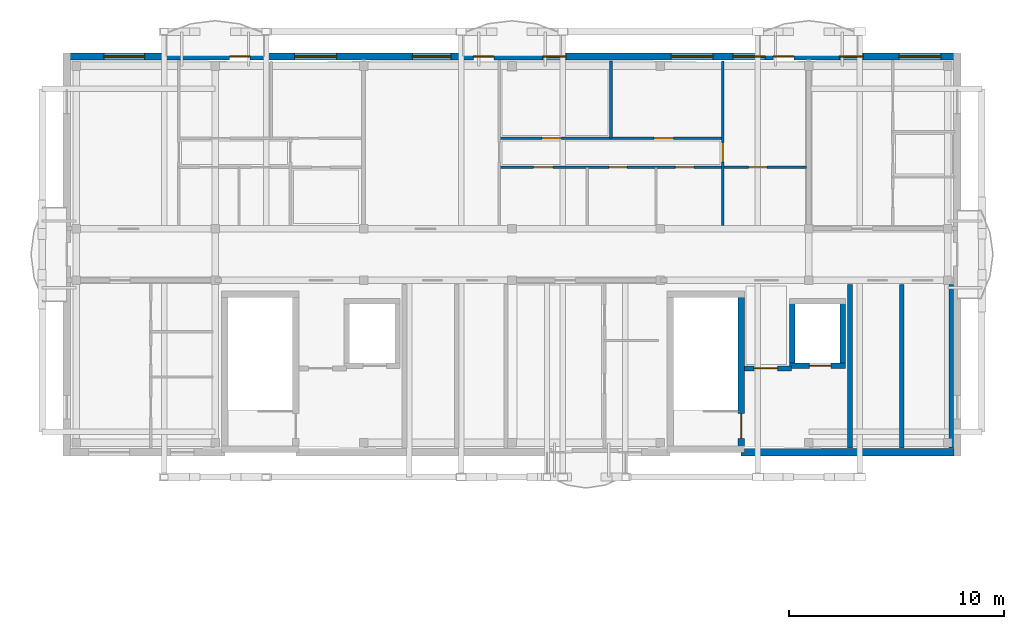
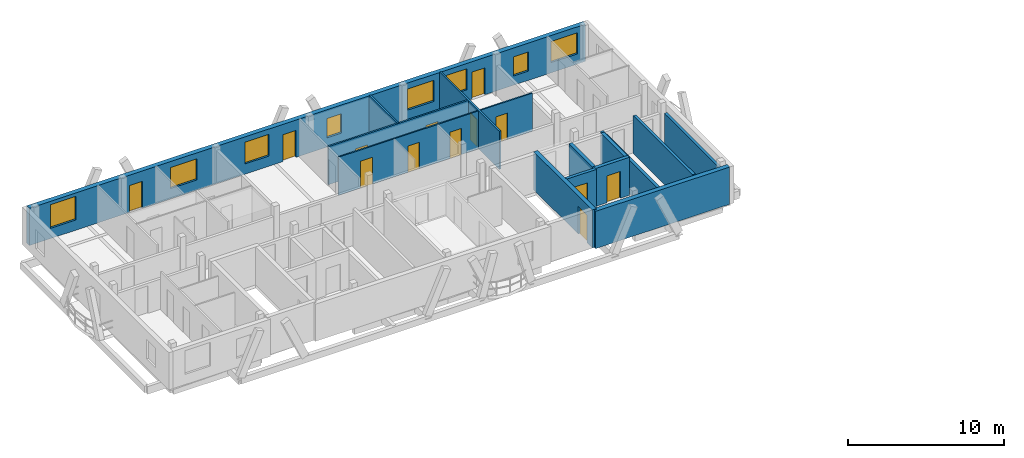
# One storey, part 12 of 18: 14 walls, 13 doors, 8 windows, 21 openings.
"""IFC4 building model written with IfcOpenShell, lengths in metres."""

from ifc_helpers import new_model, si_unit, direction, frame, frame_2d, origin, origin_with_axes, place, context, subcontext, project, spatial, rectangle, extrude, material, layer, layer_set, type_object, element, fill, save


model = new_model("IFC4")

# Units and contexts
model_context = context("Model", 3, precision=1e-05, world=origin(), true_north=direction((0.0, 1.0)))
body_context = subcontext(model_context, "Body", "Model", "MODEL_VIEW")
ifc_project = project(units=[si_unit("LENGTHUNIT", "METRE"), si_unit("AREAUNIT", "SQUARE_METRE"), si_unit("VOLUMEUNIT", "CUBIC_METRE"), si_unit("PLANEANGLEUNIT", "RADIAN"), si_unit("MASSUNIT", "GRAM", prefix="KILO")], contexts=[model_context])

# Site, building, storey
site_placement = place(None, origin())
site = spatial("IfcSite", under=ifc_project, at=site_placement, CompositionType="ELEMENT")
building_placement = place(site_placement, origin())
building = spatial("IfcBuilding", under=site, at=building_placement, Name="Zavelmont Quarter", CompositionType="ELEMENT")
storey_placement = place(building_placement, frame((0.0, 0.0, 40.0)))
storey = spatial("IfcBuildingStorey", under=building, at=storey_placement, Name="L12", CompositionType="ELEMENT", Elevation=40.0)

# Wall
ifc_material_1 = material(Name="Natural Belgian limestone", Category="masonry")
ifc_layer_1 = layer(ifc_material_1, 0.340087890625)
ifc_layer_set_1 = layer_set([ifc_layer_1], Name="Natural Belgian limestone")
wall_type_1 = type_object("IfcWallType", Name="EW03", PredefinedType="STANDARD", material=ifc_layer_set_1)
wall_1_placement = place(storey_placement, frame((31.35009765625, 97.60009765625, 0.0), z_axis=(0.0, 0.0, 1.0), x_axis=(1.0, 0.0, 0.0)))
element("IfcWall", 1, at=wall_1_placement, inside=storey, type_object=wall_type_1, Name="L12 exterior limestone wall EW03", PredefinedType="STANDARD", context=body_context, shape_type="SweptSolid", body=[
    extrude(rectangle(XDim=9.889892578125, YDim=0.340087890625, at=frame_2d((4.94482421875, 0.0))), origin(), (0.0, 0.0, 1.0), 2.909912109375),
])

# Wall, openings, doors, windows
wall_2_placement = place(storey_placement, frame((0.159912109375, 116.0, 0.0), z_axis=(0.0, 0.0, 1.0), x_axis=(1.0, 0.0, 0.0)))
wall_2 = element("IfcWall", 2, at=wall_2_placement, inside=storey, type_object=wall_type_1, Name="L12 exterior limestone wall EW03", PredefinedType="STANDARD", context=body_context, shape_type="SweptSolid", body=[
    extrude(rectangle(XDim=41.080078125, YDim=0.340087890625, at=frame_2d((20.5400390625, 0.0))), origin(), (0.0, 0.0, 1.0), 2.909912109375),
])
opening_1_placement = place(wall_2_placement, frame((7.409912109375, 0.0, 0.0)))
opening_1 = element("IfcOpeningElement", 3, at=opening_1_placement, cuts=wall_2, Name="Opening DR04", PredefinedType="OPENING", context=body_context, shape_type="SweptSolid", body=[
    extrude(rectangle(XDim=0.949951171875, YDim=2.10009765625, at=frame_2d((0.47509765625, 1.050048828125))), frame((0.0, 0.18212890625, 0.0), z_axis=(0.0, -1.0, 0.0), x_axis=(1.0, 0.0, 0.0)), (0.0, 0.0, 1.0), 0.364013671875),
])
opening_2_placement = place(wall_2_placement, frame((18.74365234375, 0.0, 0.0)))
opening_2 = element("IfcOpeningElement", 4, at=opening_2_placement, cuts=wall_2, Name="Opening DR04", PredefinedType="OPENING", context=body_context, shape_type="SweptSolid", body=[
    extrude(rectangle(XDim=0.949951171875, YDim=2.10009765625, at=frame_2d((0.47509765625, 1.050048828125))), frame((0.0, 0.18212890625, 0.0), z_axis=(0.0, -1.0, 0.0), x_axis=(1.0, 0.0, 0.0)), (0.0, 0.0, 1.0), 0.364013671875),
])
opening_3_placement = place(wall_2_placement, frame((32.693603515625, 0.0, 0.0)))
opening_3 = element("IfcOpeningElement", 5, at=opening_3_placement, cuts=wall_2, Name="Opening DR04", PredefinedType="OPENING", context=body_context, shape_type="SweptSolid", body=[
    extrude(rectangle(XDim=0.949951171875, YDim=2.10009765625, at=frame_2d((0.47509765625, 1.050048828125))), frame((0.0, 0.18212890625, 0.0), z_axis=(0.0, -1.0, 0.0), x_axis=(1.0, 0.0, 0.0)), (0.0, 0.0, 1.0), 0.364013671875),
])
opening_4_placement = place(wall_2_placement, frame((1.56005859375, 0.0, 0.800048828125)))
opening_4 = element("IfcOpeningElement", 6, at=opening_4_placement, cuts=wall_2, Name="Opening WN20", PredefinedType="OPENING", context=body_context, shape_type="SweptSolid", body=[
    extrude(rectangle(XDim=1.89990234375, YDim=1.85009765625, at=frame_2d((0.949951171875, 0.925048828125))), frame((0.0, 0.18212890625, 0.0), z_axis=(0.0, -1.0, 0.0), x_axis=(1.0, 0.0, 0.0)), (0.0, 0.0, 1.0), 0.364013671875),
])
opening_5_placement = place(wall_2_placement, frame((10.43505859375, 0.0, 0.800048828125)))
opening_5 = element("IfcOpeningElement", 7, at=opening_5_placement, cuts=wall_2, Name="Opening WN24", PredefinedType="OPENING", context=body_context, shape_type="SweptSolid", body=[
    extrude(rectangle(XDim=1.949951171875, YDim=1.64990234375, at=frame_2d((0.97509765625, 0.824951171875))), frame((0.0, 0.18212890625, 0.0), z_axis=(0.0, -1.0, 0.0), x_axis=(1.0, 0.0, 0.0)), (0.0, 0.0, 1.0), 0.364013671875),
])
opening_6_placement = place(wall_2_placement, frame((15.909912109375, 0.0, 0.800048828125)))
opening_6 = element("IfcOpeningElement", 8, at=opening_6_placement, cuts=wall_2, Name="Opening WN02", PredefinedType="OPENING", context=body_context, shape_type="SweptSolid", body=[
    extrude(rectangle(XDim=1.800048828125, YDim=1.699951171875, at=frame_2d((0.89990234375, 0.85009765625))), frame((0.0, 0.18212890625, 0.0), z_axis=(0.0, -1.0, 0.0), x_axis=(1.0, 0.0, 0.0)), (0.0, 0.0, 1.0), 0.364013671875),
])
opening_7_placement = place(wall_2_placement, frame((21.9599609375, 0.0, 0.719970703125)))
opening_7 = element("IfcOpeningElement", 9, at=opening_7_placement, cuts=wall_2, Name="Opening WN09", PredefinedType="OPENING", context=body_context, shape_type="SweptSolid", body=[
    extrude(rectangle(XDim=1.10009765625, YDim=1.5, at=frame_2d((0.550048828125, 0.75))), frame((0.0, 0.18212890625, 0.0), z_axis=(0.0, -1.0, 0.0), x_axis=(1.0, 0.0, 0.0)), (0.0, 0.0, 1.0), 0.364013671875),
])
opening_8_placement = place(wall_2_placement, frame((27.93505859375, 0.0, 0.800048828125)))
opening_8 = element("IfcOpeningElement", 10, at=opening_8_placement, cuts=wall_2, Name="Opening WN24", PredefinedType="OPENING", context=body_context, shape_type="SweptSolid", body=[
    extrude(rectangle(XDim=1.949951171875, YDim=1.64990234375, at=frame_2d((0.97509765625, 0.824951171875))), frame((0.0, 0.18212890625, 0.0), z_axis=(0.0, -1.0, 0.0), x_axis=(1.0, 0.0, 0.0)), (0.0, 0.0, 1.0), 0.364013671875),
])
opening_9_placement = place(wall_2_placement, frame((30.81005859375, 0.0, 0.85009765625)))
opening_9 = element("IfcOpeningElement", 11, at=opening_9_placement, cuts=wall_2, Name="Opening WN01", PredefinedType="OPENING", context=body_context, shape_type="SweptSolid", body=[
    extrude(rectangle(XDim=1.5, YDim=1.64990234375, at=frame_2d((0.75, 0.824951171875))), frame((0.0, 0.18212890625, 0.0), z_axis=(0.0, -1.0, 0.0), x_axis=(1.0, 0.0, 0.0)), (0.0, 0.0, 1.0), 0.364013671875),
])
opening_10_placement = place(wall_2_placement, frame((35.760009765625, 0.0, 0.719970703125)))
opening_10 = element("IfcOpeningElement", 12, at=opening_10_placement, cuts=wall_2, Name="Opening WN09", PredefinedType="OPENING", context=body_context, shape_type="SweptSolid", body=[
    extrude(rectangle(XDim=1.10009765625, YDim=1.5, at=frame_2d((0.550048828125, 0.75))), frame((0.0, 0.18212890625, 0.0), z_axis=(0.0, -1.0, 0.0), x_axis=(1.0, 0.0, 0.0)), (0.0, 0.0, 1.0), 0.364013671875),
])
opening_11_placement = place(wall_2_placement, frame((38.52490234375, 0.0, 0.800048828125)))
opening_11 = element("IfcOpeningElement", 13, at=opening_11_placement, cuts=wall_2, Name="Opening WN24", PredefinedType="OPENING", context=body_context, shape_type="SweptSolid", body=[
    extrude(rectangle(XDim=1.949951171875, YDim=1.64990234375, at=frame_2d((0.97509765625, 0.824951171875))), frame((0.0, 0.18212890625, 0.0), z_axis=(0.0, -1.0, 0.0), x_axis=(1.0, 0.0, 0.0)), (0.0, 0.0, 1.0), 0.364013671875),
])
ifc_material_2 = material(Name="Thermally broken aluminium and double safety glass", Category="aluminium")
door_type_1 = type_object("IfcDoorType", Name="DR04", OperationType="NOTDEFINED", PredefinedType="DOOR", material=ifc_material_2)
door_1_placement = place(opening_1_placement, frame((0.949951171875, 0.0, 0.0), z_axis=(0.0, 0.0, 1.0), x_axis=(-1.0, 0.0, 0.0)))
door_1 = element("IfcDoor", 14, at=door_1_placement, inside=storey, type_object=door_type_1, Name="Block B L12 glazed balcony door", OperationType="SINGLE_SWING_RIGHT", OverallHeight=2.10009765625, OverallWidth=0.949951171875, PredefinedType="DOOR", context=body_context, shape_type="SweptSolid", body=[
    extrude(rectangle(XDim=0.949951171875, YDim=2.10009765625, at=frame_2d((0.47509765625, 1.050048828125))), frame((0.0, 0.02490234375, 0.0), z_axis=(0.0, -1.0, 0.0), x_axis=(1.0, 0.0, 0.0)), (0.0, 0.0, 1.0), 0.050048828125),
])
fill(opening_1, door_1)
door_2_placement = place(opening_2_placement, frame((0.949951171875, 0.0, 0.0), z_axis=(0.0, 0.0, 1.0), x_axis=(-1.0, 0.0, 0.0)))
door_2 = element("IfcDoor", 15, at=door_2_placement, inside=storey, type_object=door_type_1, Name="Block B L12 glazed balcony door", OperationType="SINGLE_SWING_LEFT", OverallHeight=2.10009765625, OverallWidth=0.949951171875, PredefinedType="DOOR", context=body_context, shape_type="SweptSolid", body=[
    extrude(rectangle(XDim=0.949951171875, YDim=2.10009765625, at=frame_2d((0.47509765625, 1.050048828125))), frame((0.0, 0.02490234375, 0.0), z_axis=(0.0, -1.0, 0.0), x_axis=(1.0, 0.0, 0.0)), (0.0, 0.0, 1.0), 0.050048828125),
])
fill(opening_2, door_2)
door_3_placement = place(opening_3_placement, frame((0.949951171875, 0.0, 0.0), z_axis=(0.0, 0.0, 1.0), x_axis=(-1.0, 0.0, 0.0)))
door_3 = element("IfcDoor", 16, at=door_3_placement, inside=storey, type_object=door_type_1, Name="Block B L12 glazed balcony door", OperationType="SINGLE_SWING_LEFT", OverallHeight=2.10009765625, OverallWidth=0.949951171875, PredefinedType="DOOR", context=body_context, shape_type="SweptSolid", body=[
    extrude(rectangle(XDim=0.949951171875, YDim=2.10009765625, at=frame_2d((0.47509765625, 1.050048828125))), frame((0.0, 0.02490234375, 0.0), z_axis=(0.0, -1.0, 0.0), x_axis=(1.0, 0.0, 0.0)), (0.0, 0.0, 1.0), 0.050048828125),
])
fill(opening_3, door_3)
ifc_material_3 = material(Name="Double low-E insulated glazing in thermally broken aluminium frame", Category="aluminium")
window_type_1 = type_object("IfcWindowType", Name="WN01", PartitioningType="SINGLE_PANEL", PredefinedType="WINDOW", material=ifc_material_3)
window_1_placement = place(opening_9_placement, origin_with_axes())
window_1 = element("IfcWindow", 17, at=window_1_placement, inside=storey, type_object=window_type_1, Name="L12 window WN01", OverallHeight=1.64990234375, OverallWidth=1.5, PartitioningType="SINGLE_PANEL", PredefinedType="WINDOW", context=body_context, shape_type="SweptSolid", body=[
    extrude(rectangle(XDim=1.5, YDim=1.64990234375, at=frame_2d((0.75, 0.824951171875))), frame((0.0, 0.030029296875, 0.0), z_axis=(0.0, -1.0, 0.0), x_axis=(1.0, 0.0, 0.0)), (0.0, 0.0, 1.0), 0.06005859375),
])
fill(opening_9, window_1)
window_type_2 = type_object("IfcWindowType", Name="WN02", PartitioningType="SINGLE_PANEL", PredefinedType="WINDOW", material=ifc_material_3)
window_2_placement = place(opening_6_placement, origin_with_axes())
window_2 = element("IfcWindow", 18, at=window_2_placement, inside=storey, type_object=window_type_2, Name="L12 window WN02", OverallHeight=1.699951171875, OverallWidth=1.800048828125, PartitioningType="SINGLE_PANEL", PredefinedType="WINDOW", context=body_context, shape_type="SweptSolid", body=[
    extrude(rectangle(XDim=1.800048828125, YDim=1.699951171875, at=frame_2d((0.89990234375, 0.85009765625))), frame((0.0, 0.030029296875, 0.0), z_axis=(0.0, -1.0, 0.0), x_axis=(1.0, 0.0, 0.0)), (0.0, 0.0, 1.0), 0.06005859375),
])
fill(opening_6, window_2)
window_type_3 = type_object("IfcWindowType", Name="WN09", PartitioningType="SINGLE_PANEL", PredefinedType="WINDOW", material=ifc_material_3)
window_3_placement = place(opening_7_placement, origin_with_axes())
window_3 = element("IfcWindow", 19, at=window_3_placement, inside=storey, type_object=window_type_3, Name="L12 window WN09", OverallHeight=1.5, OverallWidth=1.10009765625, PartitioningType="SINGLE_PANEL", PredefinedType="WINDOW", context=body_context, shape_type="SweptSolid", body=[
    extrude(rectangle(XDim=1.10009765625, YDim=1.5, at=frame_2d((0.550048828125, 0.75))), frame((0.0, 0.030029296875, 0.0), z_axis=(0.0, -1.0, 0.0), x_axis=(1.0, 0.0, 0.0)), (0.0, 0.0, 1.0), 0.06005859375),
])
fill(opening_7, window_3)
window_4_placement = place(opening_10_placement, origin_with_axes())
window_4 = element("IfcWindow", 20, at=window_4_placement, inside=storey, type_object=window_type_3, Name="L12 window WN09", OverallHeight=1.5, OverallWidth=1.10009765625, PartitioningType="SINGLE_PANEL", PredefinedType="WINDOW", context=body_context, shape_type="SweptSolid", body=[
    extrude(rectangle(XDim=1.10009765625, YDim=1.5, at=frame_2d((0.550048828125, 0.75))), frame((0.0, 0.030029296875, 0.0), z_axis=(0.0, -1.0, 0.0), x_axis=(1.0, 0.0, 0.0)), (0.0, 0.0, 1.0), 0.06005859375),
])
fill(opening_10, window_4)
window_type_4 = type_object("IfcWindowType", Name="WN20", PartitioningType="SINGLE_PANEL", PredefinedType="WINDOW", material=ifc_material_3)
window_5_placement = place(opening_4_placement, origin_with_axes())
window_5 = element("IfcWindow", 21, at=window_5_placement, inside=storey, type_object=window_type_4, Name="L12 window WN20", OverallHeight=1.85009765625, OverallWidth=1.89990234375, PartitioningType="SINGLE_PANEL", PredefinedType="WINDOW", context=body_context, shape_type="SweptSolid", body=[
    extrude(rectangle(XDim=1.89990234375, YDim=1.85009765625, at=frame_2d((0.949951171875, 0.925048828125))), frame((0.0, 0.030029296875, 0.0), z_axis=(0.0, -1.0, 0.0), x_axis=(1.0, 0.0, 0.0)), (0.0, 0.0, 1.0), 0.06005859375),
])
fill(opening_4, window_5)
window_type_5 = type_object("IfcWindowType", Name="WN24", PartitioningType="SINGLE_PANEL", PredefinedType="WINDOW", material=ifc_material_3)
window_6_placement = place(opening_5_placement, origin_with_axes())
window_6 = element("IfcWindow", 22, at=window_6_placement, inside=storey, type_object=window_type_5, Name="L12 window WN24", OverallHeight=1.64990234375, OverallWidth=1.949951171875, PartitioningType="SINGLE_PANEL", PredefinedType="WINDOW", context=body_context, shape_type="SweptSolid", body=[
    extrude(rectangle(XDim=1.949951171875, YDim=1.64990234375, at=frame_2d((0.97509765625, 0.824951171875))), frame((0.0, 0.030029296875, 0.0), z_axis=(0.0, -1.0, 0.0), x_axis=(1.0, 0.0, 0.0)), (0.0, 0.0, 1.0), 0.06005859375),
])
fill(opening_5, window_6)
window_7_placement = place(opening_8_placement, origin_with_axes())
window_7 = element("IfcWindow", 23, at=window_7_placement, inside=storey, type_object=window_type_5, Name="L12 window WN24", OverallHeight=1.64990234375, OverallWidth=1.949951171875, PartitioningType="SINGLE_PANEL", PredefinedType="WINDOW", context=body_context, shape_type="SweptSolid", body=[
    extrude(rectangle(XDim=1.949951171875, YDim=1.64990234375, at=frame_2d((0.97509765625, 0.824951171875))), frame((0.0, 0.030029296875, 0.0), z_axis=(0.0, -1.0, 0.0), x_axis=(1.0, 0.0, 0.0)), (0.0, 0.0, 1.0), 0.06005859375),
])
fill(opening_8, window_7)
window_8_placement = place(opening_11_placement, origin_with_axes())
window_8 = element("IfcWindow", 24, at=window_8_placement, inside=storey, type_object=window_type_5, Name="L12 window WN24", OverallHeight=1.64990234375, OverallWidth=1.949951171875, PartitioningType="SINGLE_PANEL", PredefinedType="WINDOW", context=body_context, shape_type="SweptSolid", body=[
    extrude(rectangle(XDim=1.949951171875, YDim=1.64990234375, at=frame_2d((0.97509765625, 0.824951171875))), frame((0.0, 0.030029296875, 0.0), z_axis=(0.0, -1.0, 0.0), x_axis=(1.0, 0.0, 0.0)), (0.0, 0.0, 1.0), 0.06005859375),
])
fill(opening_11, window_8)

# Walls
ifc_material_4 = material(Name="Calcium-silicate blockwork and acoustic plaster", Category="masonry")
ifc_layer_2 = layer(ifc_material_4, 0.199951171875)
ifc_layer_set_2 = layer_set([ifc_layer_2], Name="Calcium-silicate blockwork and acoustic plaster")
wall_type_2 = type_object("IfcWallType", Name="IW01", PredefinedType="PARTITIONING", material=ifc_layer_set_2)
wall_3_placement = place(storey_placement, frame((38.824951171875, 97.800048828125, 0.0), z_axis=(0.0, 0.0, 1.0), x_axis=(0.0, 1.0, 0.0)))
element("IfcWall", 25, at=wall_3_placement, inside=storey, type_object=wall_type_2, Name="L12 Service riser divider wall IW01", PredefinedType="PARTITIONING", context=body_context, shape_type="SweptSolid", body=[
    extrude(rectangle(XDim=7.599853515625, YDim=0.199951171875, at=frame_2d((3.7998046875, 0.0))), origin(), (0.0, 0.0, 1.0), 2.969970703125),
])
wall_4_placement = place(storey_placement, frame((41.1201171875, 97.800048828125, 0.0), z_axis=(0.0, 0.0, 1.0), x_axis=(0.0, 1.0, 0.0)))
element("IfcWall", 26, at=wall_4_placement, inside=storey, type_object=wall_type_2, Name="L12 Core service end wall IW01", PredefinedType="PARTITIONING", context=body_context, shape_type="SweptSolid", body=[
    extrude(rectangle(XDim=7.599853515625, YDim=0.199951171875, at=frame_2d((3.7998046875, 0.0))), origin(), (0.0, 0.0, 1.0), 2.35009765625),
])
ifc_material_5 = material(Name="Reinforced masonry fire compartment wall", Category="masonry")
ifc_layer_3 = layer(ifc_material_5, 0.22509765625)
ifc_layer_set_3 = layer_set([ifc_layer_3], Name="Reinforced masonry fire compartment wall")
wall_type_3 = type_object("IfcWallType", Name="IW02", PredefinedType="PARTITIONING", material=ifc_layer_set_3)
wall_5_placement = place(storey_placement, frame((36.409912109375, 97.800048828125, 0.0), z_axis=(0.0, 0.0, 1.0), x_axis=(0.0, 1.0, 0.0)))
element("IfcWall", 27, at=wall_5_placement, inside=storey, type_object=wall_type_3, Name="L12 Firefighting lobby enclosure wall IW02", PredefinedType="PARTITIONING", context=body_context, shape_type="SweptSolid", body=[
    extrude(rectangle(XDim=7.599853515625, YDim=0.22509765625, at=frame_2d((3.7998046875, 0.0))), origin(), (0.0, 0.0, 1.0), 2.590087890625),
])

# Wall, opening, door
wall_6_placement = place(storey_placement, frame((31.5, 101.5, 0.0), z_axis=(0.0, 0.0, 1.0), x_axis=(1.0, 0.0, 0.0)))
wall_6 = element("IfcWall", 28, at=wall_6_placement, inside=storey, type_object=wall_type_3, Name="L12 Firefighting lobby threshold wall IW02", PredefinedType="PARTITIONING", context=body_context, shape_type="SweptSolid", body=[
    extrude(rectangle(XDim=2.199951171875, YDim=0.22509765625, at=frame_2d((1.10009765625, 0.0))), origin(), (0.0, 0.0, 1.0), 2.969970703125),
])
opening_12_placement = place(wall_6_placement, frame((0.449951171875, 0.0, 0.0)))
opening_12 = element("IfcOpeningElement", 29, at=opening_12_placement, cuts=wall_6, Name="Opening DR10", PredefinedType="OPENING", context=body_context, shape_type="SweptSolid", body=[
    extrude(rectangle(XDim=1.10009765625, YDim=2.14990234375, at=frame_2d((0.550048828125, 1.074951171875))), frame((0.0, 0.12451171875, 0.0), z_axis=(0.0, -1.0, 0.0), x_axis=(1.0, 0.0, 0.0)), (0.0, 0.0, 1.0), 0.2490234375),
])
ifc_material_6 = material(Name="Painted steel lobby fire door", Category="steel")
door_type_2 = type_object("IfcDoorType", Name="DR10", OperationType="NOTDEFINED", PredefinedType="DOOR", material=ifc_material_6)
door_4_placement = place(opening_12_placement, frame((1.10009765625, 0.0, 0.0), z_axis=(0.0, 0.0, 1.0), x_axis=(-1.0, 0.0, 0.0)))
door_4 = element("IfcDoor", 30, at=door_4_placement, inside=storey, type_object=door_type_2, Name="Firefighting lobby fire door", OperationType="SINGLE_SWING_LEFT", OverallHeight=2.14990234375, OverallWidth=1.10009765625, PredefinedType="DOOR", context=body_context, shape_type="SweptSolid", body=[
    extrude(rectangle(XDim=1.10009765625, YDim=2.14990234375, at=frame_2d((0.550048828125, 1.074951171875))), frame((0.0, 0.02490234375, 0.0), z_axis=(0.0, -1.0, 0.0), x_axis=(1.0, 0.0, 0.0)), (0.0, 0.0, 1.0), 0.050048828125),
])
fill(opening_12, door_4)

# Wall
ifc_material_7 = material(Name="Double gypsum board on acoustic steel stud", Category="steel")
ifc_layer_4 = layer(ifc_material_7, 0.125)
ifc_layer_set_4 = layer_set([ifc_layer_4], Name="Double gypsum board on acoustic steel stud")
wall_type_4 = type_object("IfcWallType", Name="IW03", PredefinedType="PARTITIONING", material=ifc_layer_set_4)
wall_7_placement = place(storey_placement, frame((25.300048828125, 112.199951171875, 0.0), z_axis=(0.0, 0.0, 1.0), x_axis=(0.0, 1.0, 0.0)))
element("IfcWall", 31, at=wall_7_placement, inside=storey, type_object=wall_type_4, Name="L12 Partition IW03", PredefinedType="PARTITIONING", context=body_context, shape_type="SweptSolid", body=[
    extrude(rectangle(XDim=3.60009765625, YDim=0.125, at=frame_2d((1.800048828125, 0.0))), origin(), (0.0, 0.0, 1.0), 2.969970703125),
])

# Wall, opening, door
wall_8_placement = place(storey_placement, frame((30.5, 108.14990234375, 0.0), z_axis=(0.0, 0.0, 1.0), x_axis=(0.0, 1.0, 0.0)))
wall_8 = element("IfcWall", 32, at=wall_8_placement, inside=storey, type_object=wall_type_4, Name="L12 Partition IW03", PredefinedType="PARTITIONING", context=body_context, shape_type="SweptSolid", body=[
    extrude(rectangle(XDim=7.650146484375, YDim=0.125, at=frame_2d((3.8251953125, 0.0))), origin(), (0.0, 0.0, 1.0), 2.969970703125),
])
opening_13_placement = place(wall_8_placement, frame((2.949951171875, 0.0, 0.0)))
opening_13 = element("IfcOpeningElement", 33, at=opening_13_placement, cuts=wall_8, Name="Opening DR05", PredefinedType="OPENING", context=body_context, shape_type="SweptSolid", body=[
    extrude(rectangle(XDim=0.89990234375, YDim=2.10009765625, at=frame_2d((0.449951171875, 1.050048828125))), frame((0.0, 0.074462890625, 0.0), z_axis=(0.0, -1.0, 0.0), x_axis=(1.0, 0.0, 0.0)), (0.0, 0.0, 1.0), 0.14892578125),
])
ifc_material_8 = material(Name="Engineered oak flush interior door")
door_type_3 = type_object("IfcDoorType", Name="DR05", OperationType="NOTDEFINED", PredefinedType="DOOR", material=ifc_material_8)
door_5_placement = place(opening_13_placement, frame((0.89990234375, 0.0, 0.0), z_axis=(0.0, 0.0, 1.0), x_axis=(-1.0, 0.0, 0.0)))
door_5 = element("IfcDoor", 34, at=door_5_placement, inside=storey, type_object=door_type_3, Name="L12 door DR05", OperationType="SINGLE_SWING_RIGHT", OverallHeight=2.10009765625, OverallWidth=0.89990234375, PredefinedType="DOOR", context=body_context, shape_type="SweptSolid", body=[
    extrude(rectangle(XDim=0.89990234375, YDim=2.10009765625, at=frame_2d((0.449951171875, 1.050048828125))), frame((0.0, 0.02490234375, 0.0), z_axis=(0.0, -1.0, 0.0), x_axis=(1.0, 0.0, 0.0)), (0.0, 0.0, 1.0), 0.050048828125),
])
fill(opening_13, door_5)

# Wall, openings, doors
wall_9_placement = place(storey_placement, frame((20.10009765625, 112.199951171875, 0.0), z_axis=(0.0, 0.0, 1.0), x_axis=(1.0, 0.0, 0.0)))
wall_9 = element("IfcWall", 35, at=wall_9_placement, inside=storey, type_object=wall_type_4, Name="L12 Partition IW03", PredefinedType="PARTITIONING", context=body_context, shape_type="SweptSolid", body=[
    extrude(rectangle(XDim=10.39990234375, YDim=0.125, at=frame_2d((5.199951171875, 0.0))), origin(), (0.0, 0.0, 1.0), 2.969970703125),
])
opening_14_placement = place(wall_9_placement, frame((2.0, 0.0, 0.0)))
opening_14 = element("IfcOpeningElement", 36, at=opening_14_placement, cuts=wall_9, Name="Opening DR05", PredefinedType="OPENING", context=body_context, shape_type="SweptSolid", body=[
    extrude(rectangle(XDim=0.89990234375, YDim=2.10009765625, at=frame_2d((0.449951171875, 1.050048828125))), frame((0.0, 0.074462890625, 0.0), z_axis=(0.0, -1.0, 0.0), x_axis=(1.0, 0.0, 0.0)), (0.0, 0.0, 1.0), 0.14892578125),
])
opening_15_placement = place(wall_9_placement, frame((7.199951171875, 0.0, 0.0)))
opening_15 = element("IfcOpeningElement", 37, at=opening_15_placement, cuts=wall_9, Name="Opening DR05", PredefinedType="OPENING", context=body_context, shape_type="SweptSolid", body=[
    extrude(rectangle(XDim=0.89990234375, YDim=2.10009765625, at=frame_2d((0.449951171875, 1.050048828125))), frame((0.0, 0.074462890625, 0.0), z_axis=(0.0, -1.0, 0.0), x_axis=(1.0, 0.0, 0.0)), (0.0, 0.0, 1.0), 0.14892578125),
])
door_6_placement = place(opening_14_placement, origin_with_axes())
door_6 = element("IfcDoor", 38, at=door_6_placement, inside=storey, type_object=door_type_3, Name="L12 door DR05", OperationType="SINGLE_SWING_LEFT", OverallHeight=2.10009765625, OverallWidth=0.89990234375, PredefinedType="DOOR", context=body_context, shape_type="SweptSolid", body=[
    extrude(rectangle(XDim=0.89990234375, YDim=2.10009765625, at=frame_2d((0.449951171875, 1.050048828125))), frame((0.0, 0.02490234375, 0.0), z_axis=(0.0, -1.0, 0.0), x_axis=(1.0, 0.0, 0.0)), (0.0, 0.0, 1.0), 0.050048828125),
])
fill(opening_14, door_6)
door_7_placement = place(opening_15_placement, frame((0.89990234375, 0.0, 0.0), z_axis=(0.0, 0.0, 1.0), x_axis=(-1.0, 0.0, 0.0)))
door_7 = element("IfcDoor", 39, at=door_7_placement, inside=storey, type_object=door_type_3, Name="L12 door DR05", OperationType="SINGLE_SWING_RIGHT", OverallHeight=2.10009765625, OverallWidth=0.89990234375, PredefinedType="DOOR", context=body_context, shape_type="SweptSolid", body=[
    extrude(rectangle(XDim=0.89990234375, YDim=2.10009765625, at=frame_2d((0.449951171875, 1.050048828125))), frame((0.0, 0.02490234375, 0.0), z_axis=(0.0, -1.0, 0.0), x_axis=(1.0, 0.0, 0.0)), (0.0, 0.0, 1.0), 0.050048828125),
])
fill(opening_15, door_7)

ifc_material_9 = material(Name="Moisture-resistant gypsum board on steel stud", Category="steel")
ifc_layer_5 = layer(ifc_material_9, 0.10009765625)
ifc_layer_set_5 = layer_set([ifc_layer_5], Name="Moisture-resistant gypsum board on steel stud")
wall_type_5 = type_object("IfcWallType", Name="IW04", PredefinedType="PARTITIONING", material=ifc_layer_set_5)
wall_10_placement = place(storey_placement, frame((20.10009765625, 110.85009765625, 0.0), z_axis=(0.0, 0.0, 1.0), x_axis=(1.0, 0.0, 0.0)))
wall_10 = element("IfcWall", 40, at=wall_10_placement, inside=storey, type_object=wall_type_5, Name="L12 Partition IW04", PredefinedType="PARTITIONING", context=body_context, shape_type="SweptSolid", body=[
    extrude(rectangle(XDim=14.2998046875, YDim=0.10009765625, at=frame_2d((7.14990234375, 0.0))), origin(), (0.0, 0.0, 1.0), 2.969970703125),
])
opening_16_placement = place(wall_10_placement, frame((1.60009765625, 0.0, 0.0)))
opening_16 = element("IfcOpeningElement", 41, at=opening_16_placement, cuts=wall_10, Name="Opening DR05", PredefinedType="OPENING", context=body_context, shape_type="SweptSolid", body=[
    extrude(rectangle(XDim=0.89990234375, YDim=2.10009765625, at=frame_2d((0.449951171875, 1.050048828125))), frame((0.0, 0.06201171875, 0.0), z_axis=(0.0, -1.0, 0.0), x_axis=(1.0, 0.0, 0.0)), (0.0, 0.0, 1.0), 0.1240234375),
])
opening_17_placement = place(wall_10_placement, frame((5.10009765625, 0.0, 0.0)))
opening_17 = element("IfcOpeningElement", 42, at=opening_17_placement, cuts=wall_10, Name="Opening DR06", PredefinedType="OPENING", context=body_context, shape_type="SweptSolid", body=[
    extrude(rectangle(XDim=0.85009765625, YDim=2.050048828125, at=frame_2d((0.425048828125, 1.02490234375))), frame((0.0, 0.06201171875, 0.0), z_axis=(0.0, -1.0, 0.0), x_axis=(1.0, 0.0, 0.0)), (0.0, 0.0, 1.0), 0.1240234375),
])
opening_18_placement = place(wall_10_placement, frame((8.199951171875, 0.0, 0.0)))
opening_18 = element("IfcOpeningElement", 43, at=opening_18_placement, cuts=wall_10, Name="Opening DR06", PredefinedType="OPENING", context=body_context, shape_type="SweptSolid", body=[
    extrude(rectangle(XDim=0.85009765625, YDim=2.050048828125, at=frame_2d((0.425048828125, 1.02490234375))), frame((0.0, 0.06201171875, 0.0), z_axis=(0.0, -1.0, 0.0), x_axis=(1.0, 0.0, 0.0)), (0.0, 0.0, 1.0), 0.1240234375),
])
opening_19_placement = place(wall_10_placement, frame((11.60009765625, 0.0, 0.0)))
opening_19 = element("IfcOpeningElement", 44, at=opening_19_placement, cuts=wall_10, Name="Opening DR06", PredefinedType="OPENING", context=body_context, shape_type="SweptSolid", body=[
    extrude(rectangle(XDim=0.85009765625, YDim=2.050048828125, at=frame_2d((0.425048828125, 1.02490234375))), frame((0.0, 0.06201171875, 0.0), z_axis=(0.0, -1.0, 0.0), x_axis=(1.0, 0.0, 0.0)), (0.0, 0.0, 1.0), 0.1240234375),
])
door_8_placement = place(opening_16_placement, origin_with_axes())
door_8 = element("IfcDoor", 45, at=door_8_placement, inside=storey, type_object=door_type_3, Name="L12 door DR05", OperationType="SINGLE_SWING_LEFT", OverallHeight=2.10009765625, OverallWidth=0.89990234375, PredefinedType="DOOR", context=body_context, shape_type="SweptSolid", body=[
    extrude(rectangle(XDim=0.89990234375, YDim=2.10009765625, at=frame_2d((0.449951171875, 1.050048828125))), frame((0.0, 0.02490234375, 0.0), z_axis=(0.0, -1.0, 0.0), x_axis=(1.0, 0.0, 0.0)), (0.0, 0.0, 1.0), 0.050048828125),
])
fill(opening_16, door_8)
ifc_material_10 = material(Name="Moisture-resistant painted wet-room door")
door_type_4 = type_object("IfcDoorType", Name="DR06", OperationType="NOTDEFINED", PredefinedType="DOOR", material=ifc_material_10)
door_9_placement = place(opening_17_placement, frame((0.85009765625, 0.0, 0.0), z_axis=(0.0, 0.0, 1.0), x_axis=(-1.0, 0.0, 0.0)))
door_9 = element("IfcDoor", 46, at=door_9_placement, inside=storey, type_object=door_type_4, Name="L12 door DR06", OperationType="SINGLE_SWING_RIGHT", OverallHeight=2.050048828125, OverallWidth=0.85009765625, PredefinedType="DOOR", context=body_context, shape_type="SweptSolid", body=[
    extrude(rectangle(XDim=0.85009765625, YDim=2.050048828125, at=frame_2d((0.425048828125, 1.02490234375))), frame((0.0, 0.02490234375, 0.0), z_axis=(0.0, -1.0, 0.0), x_axis=(1.0, 0.0, 0.0)), (0.0, 0.0, 1.0), 0.050048828125),
])
fill(opening_17, door_9)
door_10_placement = place(opening_18_placement, origin_with_axes())
door_10 = element("IfcDoor", 47, at=door_10_placement, inside=storey, type_object=door_type_4, Name="L12 door DR06", OperationType="SINGLE_SWING_LEFT", OverallHeight=2.050048828125, OverallWidth=0.85009765625, PredefinedType="DOOR", context=body_context, shape_type="SweptSolid", body=[
    extrude(rectangle(XDim=0.85009765625, YDim=2.050048828125, at=frame_2d((0.425048828125, 1.02490234375))), frame((0.0, 0.02490234375, 0.0), z_axis=(0.0, -1.0, 0.0), x_axis=(1.0, 0.0, 0.0)), (0.0, 0.0, 1.0), 0.050048828125),
])
fill(opening_18, door_10)
door_11_placement = place(opening_19_placement, frame((0.85009765625, 0.0, 0.0), z_axis=(0.0, 0.0, 1.0), x_axis=(-1.0, 0.0, 0.0)))
door_11 = element("IfcDoor", 48, at=door_11_placement, inside=storey, type_object=door_type_4, Name="L12 door DR06", OperationType="SINGLE_SWING_RIGHT", OverallHeight=2.050048828125, OverallWidth=0.85009765625, PredefinedType="DOOR", context=body_context, shape_type="SweptSolid", body=[
    extrude(rectangle(XDim=0.85009765625, YDim=2.050048828125, at=frame_2d((0.425048828125, 1.02490234375))), frame((0.0, 0.02490234375, 0.0), z_axis=(0.0, -1.0, 0.0), x_axis=(1.0, 0.0, 0.0)), (0.0, 0.0, 1.0), 0.050048828125),
])
fill(opening_19, door_11)

# Wall, opening, door
ifc_material_11 = material(Name="Concrete C40/50", Category="concrete")
ifc_layer_6 = layer(ifc_material_11, 0.300048828125)
ifc_layer_set_6 = layer_set([ifc_layer_6], Name="Concrete C40/50")
wall_type_6 = type_object("IfcWallType", Name="SW01", PredefinedType="SHEAR", material=ifc_layer_set_6)
wall_11_placement = place(storey_placement, frame((31.35009765625, 97.60009765625, 0.0), z_axis=(0.0, 0.0, 1.0), x_axis=(0.0, 1.0, 0.0)))
wall_11 = element("IfcWall", 49, at=wall_11_placement, inside=storey, type_object=wall_type_6, Name="L12 ST04 lobby shear wall SW01", PredefinedType="SHEAR", context=body_context, shape_type="SweptSolid", body=[
    extrude(rectangle(XDim=7.5, YDim=0.300048828125, at=frame_2d((3.75, 0.0))), origin(), (0.0, 0.0, 1.0), 2.969970703125),
])
opening_20_placement = place(wall_11_placement, frame((0.64990234375, 0.0, 0.0)))
opening_20 = element("IfcOpeningElement", 50, at=opening_20_placement, cuts=wall_11, Name="Opening DR09", PredefinedType="OPENING", context=body_context, shape_type="SweptSolid", body=[
    extrude(rectangle(XDim=1.14990234375, YDim=2.14990234375, at=frame_2d((0.574951171875, 1.074951171875))), frame((0.0, 0.162109375, 0.0), z_axis=(0.0, -1.0, 0.0), x_axis=(1.0, 0.0, 0.0)), (0.0, 0.0, 1.0), 0.323974609375),
])
ifc_material_12 = material(Name="Painted steel stair-core fire door", Category="steel")
door_type_5 = type_object("IfcDoorType", Name="DR09", OperationType="NOTDEFINED", PredefinedType="DOOR", material=ifc_material_12)
door_12_placement = place(opening_20_placement, origin_with_axes())
door_12 = element("IfcDoor", 51, at=door_12_placement, inside=storey, type_object=door_type_5, Name="ST04 protected stair door", OperationType="SINGLE_SWING_RIGHT", OverallHeight=2.14990234375, OverallWidth=1.14990234375, PredefinedType="DOOR", context=body_context, shape_type="SweptSolid", body=[
    extrude(rectangle(XDim=1.14990234375, YDim=2.14990234375, at=frame_2d((0.574951171875, 1.074951171875))), frame((0.0, 0.02490234375, 0.0), z_axis=(0.0, -1.0, 0.0), x_axis=(1.0, 0.0, 0.0)), (0.0, 0.0, 1.0), 0.050048828125),
])
fill(opening_20, door_12)

ifc_layer_7 = layer(ifc_material_11, 0.25)
ifc_layer_set_7 = layer_set([ifc_layer_7], Name="Concrete C40/50")
wall_type_7 = type_object("IfcWallType", Name="SW02", PredefinedType="SHEAR", material=ifc_layer_set_7)
wall_12_placement = place(storey_placement, frame((33.60009765625, 101.625, 0.0), z_axis=(0.0, 0.0, 1.0), x_axis=(1.0, 0.0, 0.0)))
wall_12 = element("IfcWall", 52, at=wall_12_placement, inside=storey, type_object=wall_type_7, Name="L12 Lift LF04 landing shaft wall SW02", PredefinedType="SHEAR", context=body_context, shape_type="SweptSolid", body=[
    extrude(rectangle(XDim=2.599853515625, YDim=0.25, at=frame_2d((1.2998046875, 0.0))), origin(), (0.0, 0.0, 1.0), 2.969970703125),
])
opening_21_placement = place(wall_12_placement, frame((0.925048828125, 0.0, 0.0)))
opening_21 = element("IfcOpeningElement", 53, at=opening_21_placement, cuts=wall_12, Name="Opening LD01", PredefinedType="OPENING", context=body_context, shape_type="SweptSolid", body=[
    extrude(rectangle(XDim=1.0, YDim=2.10009765625, at=frame_2d((0.5, 1.050048828125))), frame((0.0, 0.136962890625, 0.0), z_axis=(0.0, -1.0, 0.0), x_axis=(1.0, 0.0, 0.0)), (0.0, 0.0, 1.0), 0.27392578125),
])
ifc_material_13 = material(Name="Brushed stainless-steel automatic sliding landing door", Category="steel")
door_type_6 = type_object("IfcDoorType", Name="LD01", OperationType="SLIDING_TO_LEFT", PredefinedType="DOOR", material=ifc_material_13)
door_13_placement = place(opening_21_placement, origin_with_axes())
door_13 = element("IfcDoor", 54, at=door_13_placement, inside=storey, type_object=door_type_6, Name="Lift LF04 sliding landing door", OperationType="SLIDING_TO_LEFT", OverallHeight=2.10009765625, OverallWidth=1.0, PredefinedType="DOOR", context=body_context, shape_type="SweptSolid", body=[
    extrude(rectangle(XDim=1.0, YDim=2.10009765625, at=frame_2d((0.5, 1.050048828125))), frame((0.0, 0.02490234375, 0.0), z_axis=(0.0, -1.0, 0.0), x_axis=(1.0, 0.0, 0.0)), (0.0, 0.0, 1.0), 0.050048828125),
])
fill(opening_21, door_13)

# Walls
for number, where, z_axis, x_axis, name in (
    (55, (33.72509765625, 101.5, 0.0), (0.0, 0.0, 1.0), (0.0, 1.0, 0.0), "L12 Lift LF04 west shaft wall SW02"),
    (56, (36.074951171875, 101.5, 0.0), (0.0, 0.0, 1.0), (0.0, 1.0, 0.0), "L12 Lift LF04 east shaft wall SW02"),
):
    element("IfcWall", number, at=place(storey_placement, frame(where, z_axis=z_axis, x_axis=x_axis)), inside=storey, type_object=wall_type_7, Name=name, PredefinedType="SHEAR", context=body_context, shape_type="SweptSolid", body=[
        extrude(rectangle(XDim=3.25, YDim=0.25, at=frame_2d((1.625, 0.0))), origin(), (0.0, 0.0, 1.0), 2.969970703125),
    ])

save(model, "model.ifc")
